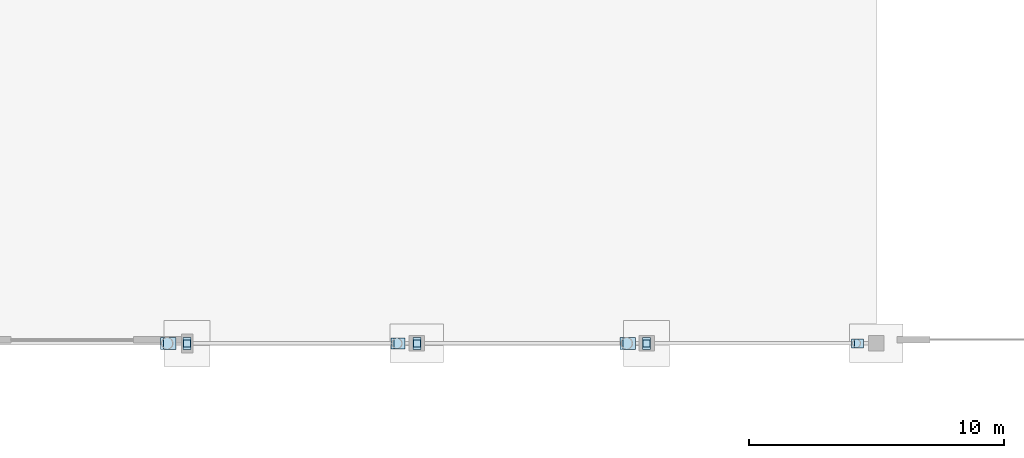
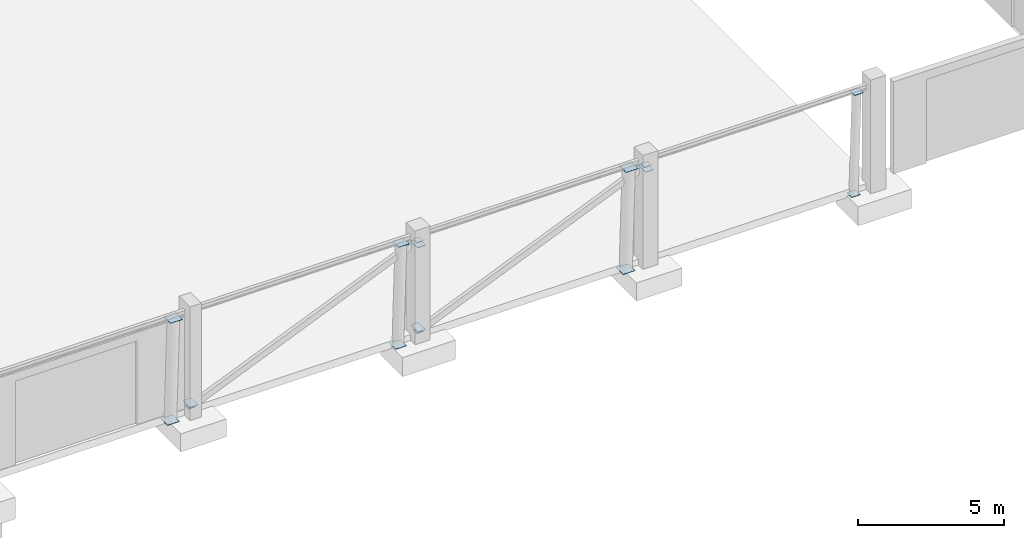
# One storey, part 72 of 93: 16 plates.
"""IFC4 building model written with IfcOpenShell, lengths in metres."""

from ifc_helpers import new_model, si_unit, direction, frame, origin, origin_2d, place, context, subcontext, project, spatial, rectangle, extrude, material, layer, layer_set, type_object, element, save


model = new_model("IFC4")

# Units and contexts
model_context = context("Model", 3, precision=1e-05, world=origin(), true_north=direction((0.0, 1.0)))
body_context = subcontext(model_context, "Body", "Model", "MODEL_VIEW")
ifc_project = project(units=[si_unit("LENGTHUNIT", "METRE"), si_unit("AREAUNIT", "SQUARE_METRE"), si_unit("VOLUMEUNIT", "CUBIC_METRE"), si_unit("PLANEANGLEUNIT", "RADIAN"), si_unit("MASSUNIT", "GRAM", prefix="KILO")], contexts=[model_context])

# Site, building, storey
site_placement = place(None, origin())
site = spatial("IfcSite", under=ifc_project, at=site_placement, CompositionType="ELEMENT")
building_placement = place(site_placement, origin())
building = spatial("IfcBuilding", under=site, at=building_placement, Name="Marnridge Secondary College", CompositionType="ELEMENT")
storey_placement = place(building_placement, origin())
storey = spatial("IfcBuildingStorey", under=building, at=storey_placement, Name="L00", CompositionType="ELEMENT", Elevation=0.0)

# Plates
ifc_material_1 = material(Name="Structural steel plate Grade 350 (AS/NZS 3678, fy = 350 MPa <=12mm, 340 MPa 12-20mm, 330 MPa 20-50mm)", Category="steel")
ifc_layer_1 = layer(ifc_material_1, 0.011962890625)
ifc_layer_set_1 = layer_set([ifc_layer_1], Name="PT-CAP-EXT")
plate_type_1 = type_object("IfcPlateType", Name="PT-CAP-EXT", PredefinedType="SHEET", material=ifc_layer_set_1)
for number, where, z_axis, x_axis, name in (
    (1, (134.2001953125, 0.0, -0.25390625), (0.0, 0.0, 1.0), (1.0, 0.0, 0.0), "Tube end cap CP-0648-EC1"),
    (2, (134.31982421875, 0.0, 3.966796875), (0.0, 0.0, 1.0), (1.0, 0.0, 0.0), "Tube end cap CP-0648-EC2"),
):
    element("IfcPlate", number, at=place(storey_placement, frame(where, z_axis=z_axis, x_axis=x_axis)), inside=storey, type_object=plate_type_1, Name=name, PredefinedType="SHEET", context=body_context, shape_type="SweptSolid", body=[
        extrude(rectangle(XDim=0.47705078125, YDim=0.47705078125, at=origin_2d()), origin(), (0.0, 0.0, 1.0), 0.011962890625),
    ])
for number, where, z_axis, x_axis, name in (
    (3, (143.2001953125, 0.0, -0.25390625), (0.0, 0.0, 1.0), (1.0, 0.0, 0.0), "Tube end cap CP-0649-EC1"),
    (4, (143.31982421875, 0.0, 3.966796875), (0.0, 0.0, 1.0), (1.0, 0.0, 0.0), "Tube end cap CP-0649-EC2"),
):
    element("IfcPlate", number, at=place(storey_placement, frame(where, z_axis=z_axis, x_axis=x_axis)), inside=storey, type_object=plate_type_1, Name=name, PredefinedType="SHEET", context=body_context, shape_type="SweptSolid", body=[
        extrude(rectangle(XDim=0.426025390625, YDim=0.426025390625, at=origin_2d()), origin(), (0.0, 0.0, 1.0), 0.011962890625),
    ])
for number, where, z_axis, x_axis, name in (
    (5, (152.2001953125, 0.0, -0.25390625), (0.0, 0.0, 1.0), (1.0, 0.0, 0.0), "Tube end cap CP-0650-EC1"),
    (6, (152.31982421875, 0.0, 3.966796875), (0.0, 0.0, 1.0), (1.0, 0.0, 0.0), "Tube end cap CP-0650-EC2"),
):
    element("IfcPlate", number, at=place(storey_placement, frame(where, z_axis=z_axis, x_axis=x_axis)), inside=storey, type_object=plate_type_1, Name=name, PredefinedType="SHEET", context=body_context, shape_type="SweptSolid", body=[
        extrude(rectangle(XDim=0.47705078125, YDim=0.47705078125, at=origin_2d()), origin(), (0.0, 0.0, 1.0), 0.011962890625),
    ])
for number, where, z_axis, x_axis, name in (
    (7, (161.2001953125, 0.0, -0.25390625), (0.0, 0.0, 1.0), (1.0, 0.0, 0.0), "Tube end cap CP-0651-EC1"),
    (8, (161.31982421875, 0.0, 3.966796875), (0.0, 0.0, 1.0), (1.0, 0.0, 0.0), "Tube end cap CP-0651-EC2"),
):
    element("IfcPlate", number, at=place(storey_placement, frame(where, z_axis=z_axis, x_axis=x_axis)), inside=storey, type_object=plate_type_1, Name=name, PredefinedType="SHEET", context=body_context, shape_type="SweptSolid", body=[
        extrude(rectangle(XDim=0.343994140625, YDim=0.343994140625, at=origin_2d()), origin(), (0.0, 0.0, 1.0), 0.011962890625),
    ])
for number, where, z_axis, x_axis, name in (
    (9, (135.001708984375, 0.0, 0.044921875), (0.0, 0.0, 1.0), (1.0, 0.0, 0.0), "Tube end cap BR-005-EC1"),
    (10, (143.998291015625, 0.0, 3.84326171875), (0.0, 0.0, 1.0), (1.0, 0.0, 0.0), "Tube end cap BR-005-EC2"),
    (11, (144.001708984375, 0.0, 0.044921875), (0.0, 0.0, 1.0), (1.0, 0.0, 0.0), "Tube end cap BR-006-EC1"),
    (12, (152.998291015625, 0.0, 3.84326171875), (0.0, 0.0, 1.0), (1.0, 0.0, 0.0), "Tube end cap BR-006-EC2"),
):
    element("IfcPlate", number, at=place(storey_placement, frame(where, z_axis=z_axis, x_axis=x_axis)), inside=storey, type_object=plate_type_1, Name=name, PredefinedType="SHEET", context=body_context, shape_type="SweptSolid", body=[
        extrude(rectangle(XDim=0.27001953125, YDim=0.27001953125, at=origin_2d()), origin(), (0.0, 0.0, 1.0), 0.011962890625),
    ])
ifc_material_2 = material(Name="Structural steel plate Grade 350 (AS/NZS 3678, fy = 350 MPa <=12mm, 340 MPa 12-20mm, 330 MPa 20-50mm)", Category="steel")
ifc_layer_2 = layer(ifc_material_2, 0.02392578125)
ifc_layer_set_2 = layer_set([ifc_layer_2], Name="PT-GUS-GSN2")
plate_type_2 = type_object("IfcPlateType", Name="PT-GUS-GSN2", PredefinedType="USERDEFINED", material=ifc_layer_set_2)
for number, where, z_axis, x_axis, name in (
    (13, (135.0, 0.0, 0.177978515625), (0.0, 0.0, 1.0), (0.0, 1.0, 0.0), "Braced-frame gusset plate GP-059"),
    (14, (144.0, 0.0, 3.697998046875), (0.0, 0.0, 1.0), (0.0, 1.0, 0.0), "Braced-frame gusset plate GP-060"),
    (15, (144.0, 0.0, 0.177978515625), (0.0, 0.0, 1.0), (0.0, 1.0, 0.0), "Braced-frame gusset plate GP-061"),
    (16, (153.0, 0.0, 3.697998046875), (0.0, 0.0, 1.0), (0.0, 1.0, 0.0), "Braced-frame gusset plate GP-062"),
):
    element("IfcPlate", number, at=place(storey_placement, frame(where, z_axis=z_axis, x_axis=x_axis)), inside=storey, type_object=plate_type_2, Name=name, ObjectType="GUSSET PLATE", PredefinedType="USERDEFINED", context=body_context, shape_type="SweptSolid", body=[
        extrude(rectangle(XDim=0.47998046875, YDim=0.320068359375, at=origin_2d()), origin(), (0.0, 0.0, 1.0), 0.02392578125),
    ])

save(model, "model.ifc")
